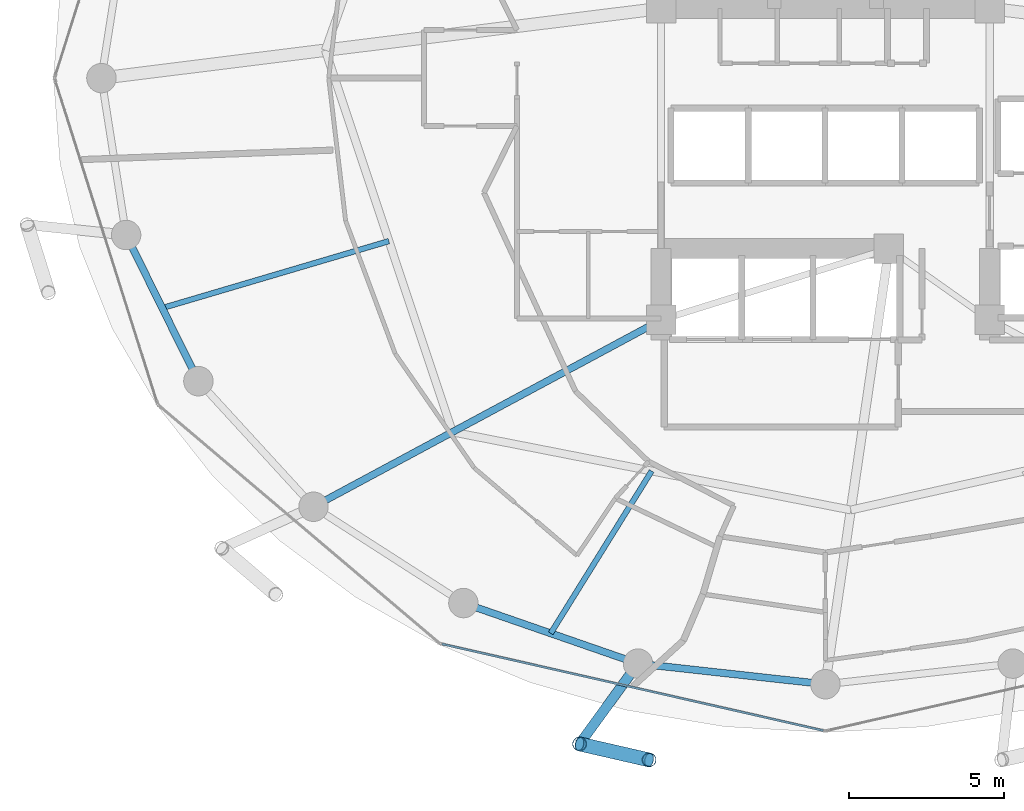
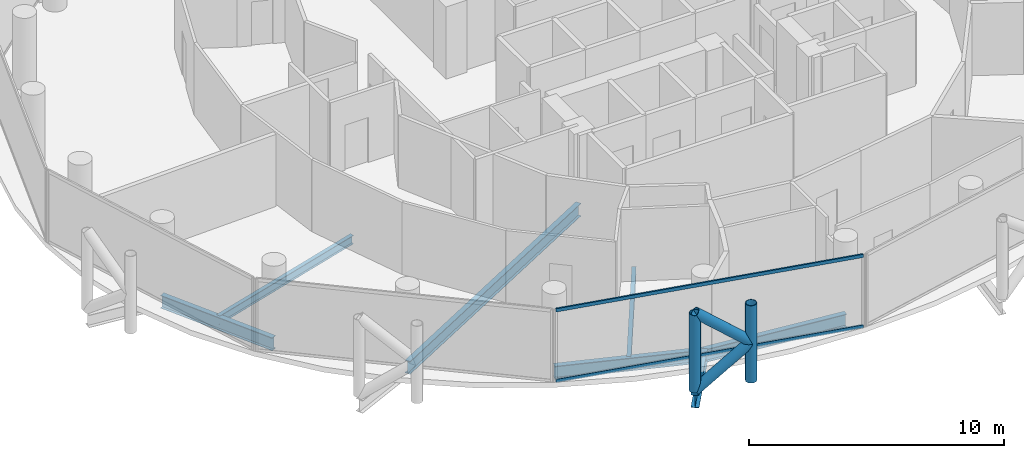
# One storey, part 3 of 26: 7 beams, 6 members, 1 element without a shape of its own.
"""IFC4 building model written with IfcOpenShell, lengths in metres."""

from ifc_helpers import new_model, si_unit, direction, frame, origin, origin_2d, place, context, subcontext, project, spatial, hollow_rectangle, hollow_circle, i_section, extrude, material, layer, layer_set, material_profile, profile_set, type_object, element, aggregate, save


model = new_model("IFC4")

# Units and contexts
model_context = context("Model", 3, precision=1e-05, world=origin(), true_north=direction((0.0, 1.0)))
body_context = subcontext(model_context, "Body", "Model", "MODEL_VIEW")
ifc_project = project(units=[si_unit("LENGTHUNIT", "METRE"), si_unit("AREAUNIT", "SQUARE_METRE"), si_unit("VOLUMEUNIT", "CUBIC_METRE"), si_unit("PLANEANGLEUNIT", "RADIAN"), si_unit("MASSUNIT", "GRAM", prefix="KILO")], contexts=[model_context])

# Site, building, storey
site_placement = place(None, origin())
site = spatial("IfcSite", under=ifc_project, at=site_placement, CompositionType="ELEMENT")
building_placement = place(site_placement, origin())
building = spatial("IfcBuilding", under=site, at=building_placement, Name="Nuhasar Tower", CompositionType="ELEMENT")
storey_placement = place(building_placement, frame((0.0, 0.0, 136.75)))
storey = spatial("IfcBuildingStorey", under=building, at=storey_placement, Name="L32", CompositionType="ELEMENT", Elevation=136.75)

# Beams
ifc_material_1 = material(Name="Steel S355", Category="steel")
ifc_material_profile_1 = material_profile(ifc_material_1, i_section(OverallWidth=0.177978515625, OverallDepth=0.406005859375, WebThickness=0.0078125, FlangeThickness=0.0126953125, at=origin_2d()), Name="W16X40")
ifc_profile_set_1 = profile_set([ifc_material_profile_1], Name="Steel S355")
beam_type_1 = type_object("IfcBeamType", Name="BM-JST-W16X40", PredefinedType="JOIST", material=ifc_profile_set_1)
beam_1_placement = place(storey_placement, frame((33.39697265625, 14.1279296875, -0.452880859375), z_axis=(-0.528139463011, -0.849157645912, 0.0), x_axis=(0.849157645912, -0.528139463011, 0.0)))
element("IfcBeam", 1, at=beam_1_placement, inside=storey, type_object=beam_type_1, Name="L32 Secondary Floor Joist 01", PredefinedType="JOIST", context=body_context, shape_type="SweptSolid", body=[
    extrude(i_section(OverallWidth=0.177978515625, OverallDepth=0.406005859375, WebThickness=0.0078125, FlangeThickness=0.0126953125, at=origin_2d()), origin(), (0.0, 0.0, 1.0), 6.164794921875),
])
beam_2_placement = place(storey_placement, frame((24.922119140625, 21.54296875, -0.452880859375), z_axis=(-0.959013356257, -0.283360869775, 0.0), x_axis=(0.283360869775, -0.959013356257, 0.0)))
element("IfcBeam", 2, at=beam_2_placement, inside=storey, type_object=beam_type_1, Name="L32 Secondary Floor Joist 08", PredefinedType="JOIST", context=body_context, shape_type="SweptSolid", body=[
    extrude(i_section(OverallWidth=0.177978515625, OverallDepth=0.406005859375, WebThickness=0.0078125, FlangeThickness=0.0126953125, at=origin_2d()), origin(), (0.0, 0.0, 1.0), 7.62255859375),
])
ifc_material_profile_2 = material_profile(ifc_material_1, i_section(OverallWidth=0.22900390625, OverallDepth=0.612060546875, WebThickness=0.011962890625, FlangeThickness=0.01953125, at=origin_2d()), Name="W24X84")
ifc_profile_set_2 = profile_set([ifc_material_profile_2], Name="Steel S355")
beam_type_2 = type_object("IfcBeamType", Name="BM-RAD-W24X84", PredefinedType="BEAM", material=ifc_profile_set_2)
beam_3_placement = place(storey_placement, frame((33.699951171875, 19.0, -0.555908203125), z_axis=(-0.880888386928, -0.473324043098, 0.0), x_axis=(0.473324043098, -0.880888386928, 0.0)))
element("IfcBeam", 3, at=beam_3_placement, inside=storey, type_object=beam_type_2, Name="L32 Radial Floor Girder 01", PredefinedType="BEAM", context=body_context, shape_type="SweptSolid", body=[
    extrude(i_section(OverallWidth=0.22900390625, OverallDepth=0.612060546875, WebThickness=0.011962890625, FlangeThickness=0.01953125, at=origin_2d()), origin(), (0.0, 0.0, 1.0), 12.726806640625),
])
ifc_material_profile_3 = material_profile(ifc_material_1, i_section(OverallWidth=0.22998046875, OverallDepth=0.616943359375, WebThickness=0.01318359375, FlangeThickness=0.022216796875, at=origin_2d()), Name="W24X94")
ifc_profile_set_3 = profile_set([ifc_material_profile_3], Name="Steel S355")
beam_type_3 = type_object("IfcBeamType", Name="BM-RING-W24X94", PredefinedType="SPANDREL", material=ifc_profile_set_3)
beam_4_placement = place(storey_placement, frame((16.446044921875, 21.739990234375, -0.55908203125), z_axis=(0.443329327657, -0.896358804966, 0.0), x_axis=(0.896358804966, 0.443329327657, 0.0)))
element("IfcBeam", 4, at=beam_4_placement, inside=storey, type_object=beam_type_3, Name="L32 Perimeter Ring Spandrel 14", PredefinedType="SPANDREL", context=body_context, shape_type="SweptSolid", body=[
    extrude(i_section(OverallWidth=0.22998046875, OverallDepth=0.616943359375, WebThickness=0.01318359375, FlangeThickness=0.022216796875, at=origin_2d()), origin(), (0.0, 0.0, 1.0), 5.26025390625),
])
beam_5_placement = place(storey_placement, frame((27.324951171875, 9.868896484375, -0.55908203125), z_axis=(0.944814057608, -0.327607076458, 0.0), x_axis=(0.327607076458, 0.944814057608, 0.0)))
element("IfcBeam", 5, at=beam_5_placement, inside=storey, type_object=beam_type_3, Name="L32 Perimeter Ring Spandrel 17", PredefinedType="SPANDREL", context=body_context, shape_type="SweptSolid", body=[
    extrude(i_section(OverallWidth=0.22998046875, OverallDepth=0.616943359375, WebThickness=0.01318359375, FlangeThickness=0.022216796875, at=origin_2d()), origin(), (0.0, 0.0, 1.0), 5.9609375),
])
beam_6_placement = place(storey_placement, frame((32.95703125, 7.916015625, -0.55908203125), z_axis=(0.993981289157, -0.109549974015, 0.0), x_axis=(0.109549974015, 0.993981289157, 0.0)))
element("IfcBeam", 6, at=beam_6_placement, inside=storey, type_object=beam_type_3, Name="L32 Perimeter Ring Spandrel 18", PredefinedType="SPANDREL", context=body_context, shape_type="SweptSolid", body=[
    extrude(i_section(OverallWidth=0.22998046875, OverallDepth=0.616943359375, WebThickness=0.01318359375, FlangeThickness=0.022216796875, at=origin_2d()), origin(), (0.0, 0.0, 1.0), 6.07958984375),
])
ifc_material_profile_4 = material_profile(ifc_material_1, i_section(OverallWidth=0.323974609375, OverallDepth=0.611083984375, WebThickness=0.0126953125, FlangeThickness=0.01904296875, at=origin_2d()), Name="W24X104")
ifc_profile_set_4 = profile_set([ifc_material_profile_4], Name="Steel S355")
beam_type_4 = type_object("IfcBeamType", Name="BM-TIE-W24X104", PredefinedType="BEAM", material=ifc_profile_set_4)
beam_7_placement = place(storey_placement, frame((32.95703125, 7.916015625, -0.554931640625), z_axis=(-0.588149050751, -0.808752554309, 0.0), x_axis=(0.808752554309, -0.588149050751, 0.0)))
element("IfcBeam", 7, at=beam_7_placement, inside=storey, type_object=beam_type_4, Name="L32 Exoskeleton Node Tie Beam 09", PredefinedType="BEAM", context=body_context, shape_type="SweptSolid", body=[
    extrude(i_section(OverallWidth=0.323974609375, OverallDepth=0.611083984375, WebThickness=0.0126953125, FlangeThickness=0.01904296875, at=origin_2d()), origin(), (0.0, 0.0, 1.0), 3.205078125),
])

# Curtain wall, members
ifc_material_2 = material(Name="Aluminium 6063-T6", Category="aluminium")
ifc_layer = layer(ifc_material_2, 0.199951171875)
ifc_layer_set = layer_set([ifc_layer], Name="Aluminium 6063-T6")
curtain_wall_type = type_object("IfcCurtainWallType", Name="CW-Z2-HTL", PredefinedType="NOTDEFINED", material=ifc_layer_set)
curtain_wall_placement = place(storey_placement, origin())
curtain_wall = element("IfcCurtainWall", 8, at=curtain_wall_placement, inside=storey, type_object=curtain_wall_type, Name="L32 Unitised Curtain Wall 09", PredefinedType="NOTDEFINED")
ifc_material_profile_5 = material_profile(ifc_material_2, hollow_rectangle(XDim=0.070068359375, YDim=0.159912109375, WallThickness=0.00439453125, at=origin_2d()), Name="CWT-3")
ifc_profile_set_5 = profile_set([ifc_material_profile_5], Name="Aluminium 6063-T6")
member_type_1 = type_object("IfcMemberType", Name="CW-TRN-S3", PredefinedType="USERDEFINED", material=ifc_profile_set_5)
member_1_placement = place(storey_placement, frame((26.63818359375, 8.54638671875, 0.034912109375), z_axis=(0.975187615691, -0.221380022142, 0.0), x_axis=(0.221380022142, 0.975187615691, 0.0)))
member_1 = element("IfcMember", 9, at=member_1_placement, type_object=member_type_1, Name="CW-Z2 transom 1.1", ObjectType="TRANSOM", PredefinedType="USERDEFINED", context=body_context, shape_type="SweptSolid", body=[
    extrude(hollow_rectangle(XDim=0.070068359375, YDim=0.159912109375, WallThickness=0.00439453125, at=origin_2d()), origin(), (0.0, 0.0, 1.0), 12.606201171875),
])
member_2_placement = place(storey_placement, frame((26.63818359375, 8.54638671875, 3.4150390625), z_axis=(0.975187615691, -0.221380022142, 0.0), x_axis=(0.221380022142, 0.975187615691, 0.0)))
member_2 = element("IfcMember", 10, at=member_2_placement, type_object=member_type_1, Name="CW-Z2 transom 1.2", ObjectType="TRANSOM", PredefinedType="USERDEFINED", context=body_context, shape_type="SweptSolid", body=[
    extrude(hollow_rectangle(XDim=0.070068359375, YDim=0.159912109375, WallThickness=0.00439453125, at=origin_2d()), origin(), (0.0, 0.0, 1.0), 12.606201171875),
])
aggregate(curtain_wall, [member_1, member_2])

# Members
ifc_material_3 = material(Name="Steel S460", Category="steel")
ifc_material_profile_6 = material_profile(ifc_material_3, hollow_circle(Radius=0.228515625, WallThickness=0.022216796875, at=origin_2d()), Name="HSS457X22.2")
ifc_profile_set_6 = profile_set([ifc_material_profile_6], Name="Steel S460")
member_type_2 = type_object("IfcMemberType", Name="EXO-BRONZE-457", PredefinedType="BRACE", material=ifc_profile_set_6)
for number, where, z_axis, x_axis, name in (
    (11, (31.072021484375, 5.323974609375, 0.0), (0.0, 0.0, 1.0), (1.0, 0.0, 0.0), "L32 Exoskeleton Chord Column EC-09A"),
    (12, (33.31396484375, 4.81005859375, 0.0), (0.0, 0.0, 1.0), (1.0, 0.0, 0.0), "L32 Exoskeleton Chord Column EC-09B"),
):
    element("IfcMember", number, at=place(storey_placement, frame(where, z_axis=z_axis, x_axis=x_axis)), inside=storey, type_object=member_type_2, Name=name, PredefinedType="BRACE", context=body_context, shape_type="SweptSolid", body=[
        extrude(hollow_circle(Radius=0.228515625, WallThickness=0.022216796875, at=origin_2d()), origin(), (0.0, 0.0, 1.0), 3.699951171875),
    ])
member_3_placement = place(storey_placement, frame((31.072021484375, 5.323974609375, 0.0), z_axis=(0.759510488094, -0.174101010284, 0.626763637022), x_axis=(0.223432882746, 0.974719316987, 0.0)))
element("IfcMember", 13, at=member_3_placement, inside=storey, type_object=member_type_2, Name="L32 Bronze Diagrid Brace W1-09", PredefinedType="BRACE", context=body_context, shape_type="SweptSolid", body=[
    extrude(hollow_circle(Radius=0.228515625, WallThickness=0.022216796875, at=origin_2d()), origin(), (0.0, 0.0, 1.0), 2.951904296875),
])
member_4_placement = place(storey_placement, frame((33.31396484375, 4.81005859375, 1.85009765625), z_axis=(-0.759549860492, 0.174110035537, 0.626713415327), x_axis=(-0.223432882746, -0.974719316987, 0.0)))
element("IfcMember", 14, at=member_4_placement, inside=storey, type_object=member_type_2, Name="L32 Bronze Diagrid Brace W2-09", PredefinedType="BRACE", context=body_context, shape_type="SweptSolid", body=[
    extrude(hollow_circle(Radius=0.228515625, WallThickness=0.022216796875, at=origin_2d()), origin(), (0.0, 0.0, 1.0), 2.95166015625),
])

save(model, "model.ifc")
